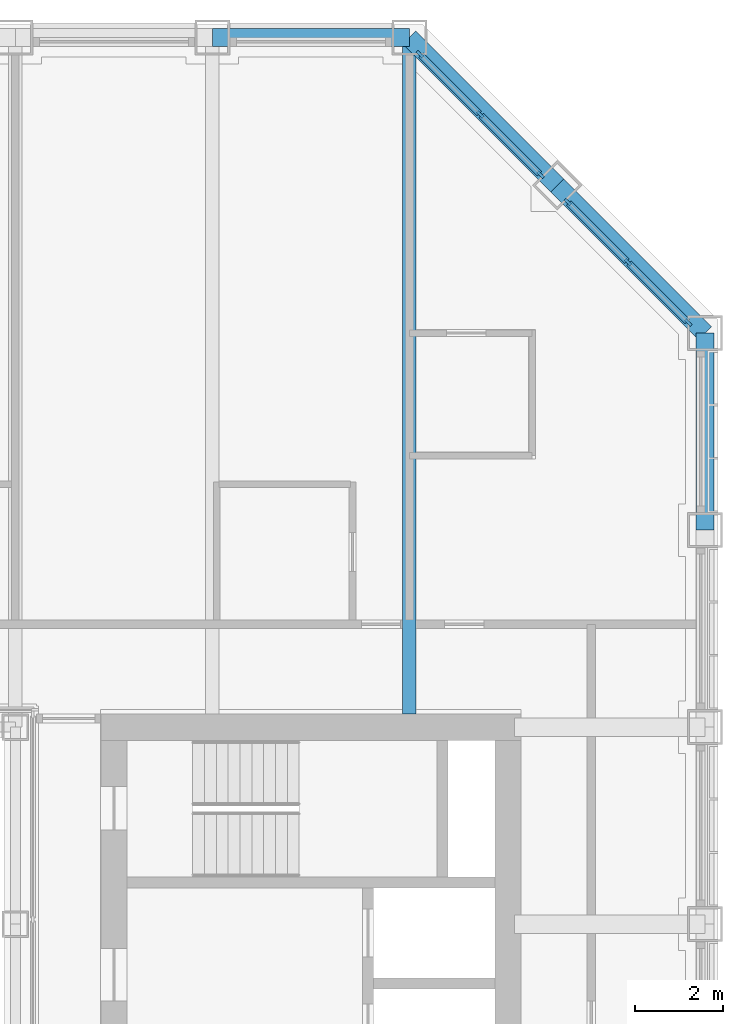
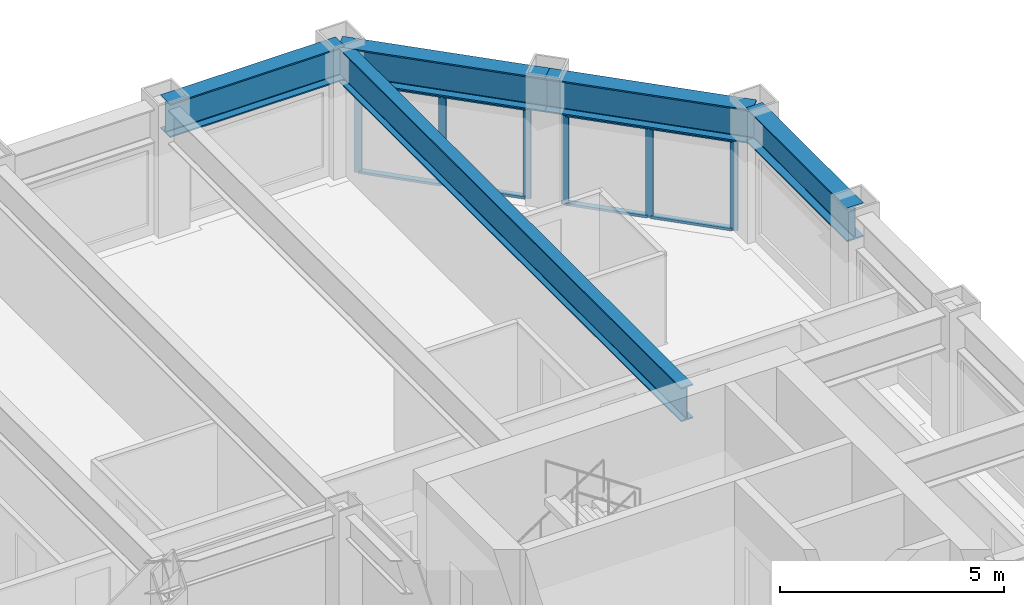
# One storey, part 8 of 17: 14 members, 5 beams, 2 elements without a shape of their own.
"""IFC4 building model written with IfcOpenShell, lengths in metres."""

from ifc_helpers import new_model, si_unit, direction, frame, origin, origin_2d, place, context, subcontext, project, spatial, rectangle, i_section, extrude, material, material_profile, profile_set, type_object, element, aggregate, save


model = new_model("IFC4")

# Units and contexts
model_context = context("Model", 3, precision=1e-05, world=origin(), true_north=direction((0.0, 1.0)))
body_context = subcontext(model_context, "Body", "Model", "MODEL_VIEW")
ifc_project = project(units=[si_unit("LENGTHUNIT", "METRE"), si_unit("AREAUNIT", "SQUARE_METRE"), si_unit("VOLUMEUNIT", "CUBIC_METRE"), si_unit("PLANEANGLEUNIT", "RADIAN"), si_unit("MASSUNIT", "GRAM", prefix="KILO")], contexts=[model_context])

# Site, building, storey
site_placement = place(None, origin())
site = spatial("IfcSite", under=ifc_project, at=site_placement, CompositionType="ELEMENT")
building_placement = place(site_placement, origin())
building = spatial("IfcBuilding", under=site, at=building_placement, Name="Msasa Ring Tower", CompositionType="ELEMENT")
storey_placement = place(building_placement, frame((0.0, 0.0, 143.60009765625)))
storey = spatial("IfcBuildingStorey", under=building, at=storey_placement, Name="L37", CompositionType="ELEMENT", Elevation=143.60009765625)

# Curtain wall, members
ifc_material_1 = material(Name="Aluminium curtain wall with clear glass", Category="aluminium")
curtain_wall_type = type_object("IfcCurtainWallType", Name="CW-C CHAMFER CORNER CURTAIN WALL", PredefinedType="NOTDEFINED", material=ifc_material_1)
curtain_wall_1_placement = place(storey_placement, origin())
curtain_wall_1 = element("IfcCurtainWall", 1, at=curtain_wall_1_placement, inside=storey, type_object=curtain_wall_type, Name="Chamfer corner curtain wall NE L37", PredefinedType="NOTDEFINED")
ifc_material_2 = material(Name="Aluminium mullion", Category="aluminium")
ifc_material_profile_1 = material_profile(ifc_material_2, rectangle(XDim=0.06494140625, YDim=0.179931640625, at=origin_2d()), Name="AL 65x180")
ifc_profile_set_1 = profile_set([ifc_material_profile_1], Name="Aluminium mullion")
member_type_1 = type_object("IfcMemberType", Name="CW-C MULLION 65x180", PredefinedType="MULLION", material=ifc_profile_set_1)
member_1_placement = place(storey_placement, frame((18.744873046875, 19.36376953125, 0.0), z_axis=(0.0, 0.0, 1.0), x_axis=(-0.707106781187, -0.707106781187, 0.0)))
member_1 = element("IfcMember", 2, at=member_1_placement, type_object=member_type_1, Name="CW-C mullion 1", PredefinedType="MULLION", context=body_context, shape_type="SweptSolid", body=[
    extrude(rectangle(XDim=0.06494140625, YDim=0.179931640625, at=origin_2d()), origin(), (0.0, 0.0, 1.0), 2.47900390625),
])
member_2_placement = place(storey_placement, frame((17.36669921875, 20.74169921875, 0.0), z_axis=(0.0, 0.0, 1.0), x_axis=(-0.707106781187, -0.707106781187, 0.0)))
member_2 = element("IfcMember", 3, at=member_2_placement, type_object=member_type_1, Name="CW-C mullion 2", PredefinedType="MULLION", context=body_context, shape_type="SweptSolid", body=[
    extrude(rectangle(XDim=0.06494140625, YDim=0.179931640625, at=origin_2d()), origin(), (0.0, 0.0, 1.0), 2.47900390625),
])
member_3_placement = place(storey_placement, frame((15.98876953125, 22.119873046875, 0.0), z_axis=(0.0, 0.0, 1.0), x_axis=(-0.707106781187, -0.707106781187, 0.0)))
member_3 = element("IfcMember", 4, at=member_3_placement, type_object=member_type_1, Name="CW-C mullion 3", PredefinedType="MULLION", context=body_context, shape_type="SweptSolid", body=[
    extrude(rectangle(XDim=0.06494140625, YDim=0.179931640625, at=origin_2d()), origin(), (0.0, 0.0, 1.0), 2.47900390625),
])

curtain_wall_2_placement = place(storey_placement, origin())
curtain_wall_2 = element("IfcCurtainWall", 5, at=curtain_wall_2_placement, inside=storey, type_object=curtain_wall_type, Name="Chamfer corner curtain wall NE L37", PredefinedType="NOTDEFINED")
member_4_placement = place(storey_placement, frame((22.119873046875, 15.98876953125, 0.0), z_axis=(0.0, 0.0, 1.0), x_axis=(-0.707106781187, -0.707106781187, 0.0)))
member_4 = element("IfcMember", 6, at=member_4_placement, type_object=member_type_1, Name="CW-C mullion 1", PredefinedType="MULLION", context=body_context, shape_type="SweptSolid", body=[
    extrude(rectangle(XDim=0.06494140625, YDim=0.179931640625, at=origin_2d()), origin(), (0.0, 0.0, 1.0), 2.47900390625),
])
member_5_placement = place(storey_placement, frame((20.74169921875, 17.36669921875, 0.0), z_axis=(0.0, 0.0, 1.0), x_axis=(-0.707106781187, -0.707106781187, 0.0)))
member_5 = element("IfcMember", 7, at=member_5_placement, type_object=member_type_1, Name="CW-C mullion 2", PredefinedType="MULLION", context=body_context, shape_type="SweptSolid", body=[
    extrude(rectangle(XDim=0.06494140625, YDim=0.179931640625, at=origin_2d()), origin(), (0.0, 0.0, 1.0), 2.47900390625),
])
member_6_placement = place(storey_placement, frame((19.36376953125, 18.744873046875, 0.0), z_axis=(0.0, 0.0, 1.0), x_axis=(-0.707106781187, -0.707106781187, 0.0)))
member_6 = element("IfcMember", 8, at=member_6_placement, type_object=member_type_1, Name="CW-C mullion 3", PredefinedType="MULLION", context=body_context, shape_type="SweptSolid", body=[
    extrude(rectangle(XDim=0.06494140625, YDim=0.179931640625, at=origin_2d()), origin(), (0.0, 0.0, 1.0), 2.47900390625),
])

# Member
ifc_material_3 = material(Name="Aluminium transom", Category="aluminium")
ifc_material_profile_2 = material_profile(ifc_material_3, rectangle(XDim=0.139892578125, YDim=0.06494140625, at=origin_2d()), Name="AL 65x140")
ifc_profile_set_2 = profile_set([ifc_material_profile_2], Name="Aluminium transom")
member_type_2 = type_object("IfcMemberType", Name="CW-C TRANSOM 65x140", PredefinedType="USERDEFINED", material=ifc_profile_set_2)
member_7_placement = place(storey_placement, frame((18.721923828125, 19.38671875, 0.032470703125), z_axis=(-0.707106781187, 0.707106781187, 0.0), x_axis=(-0.707106781187, -0.707106781187, 0.0)))
member_7 = element("IfcMember", 9, at=member_7_placement, type_object=member_type_2, Name="CW-C transom 1.1", ObjectType="TRANSOM", PredefinedType="USERDEFINED", context=body_context, shape_type="SweptSolid", body=[
    extrude(rectangle(XDim=0.139892578125, YDim=0.06494140625, at=origin_2d()), origin(), (0.0, 0.0, 1.0), 1.8837890625),
])

member_8_placement = place(storey_placement, frame((18.721923828125, 19.38671875, 2.4462890625), z_axis=(-0.707106781187, 0.707106781187, 0.0), x_axis=(-0.707106781187, -0.707106781187, 0.0)))
member_8 = element("IfcMember", 10, at=member_8_placement, type_object=member_type_2, Name="CW-C transom 1.2", ObjectType="TRANSOM", PredefinedType="USERDEFINED", context=body_context, shape_type="SweptSolid", body=[
    extrude(rectangle(XDim=0.139892578125, YDim=0.06494140625, at=origin_2d()), origin(), (0.0, 0.0, 1.0), 1.8837890625),
])

member_9_placement = place(storey_placement, frame((17.34375, 20.764892578125, 0.032470703125), z_axis=(-0.707106781187, 0.707106781187, 0.0), x_axis=(-0.707106781187, -0.707106781187, 0.0)))
member_9 = element("IfcMember", 11, at=member_9_placement, type_object=member_type_2, Name="CW-C transom 2.1", ObjectType="TRANSOM", PredefinedType="USERDEFINED", context=body_context, shape_type="SweptSolid", body=[
    extrude(rectangle(XDim=0.139892578125, YDim=0.06494140625, at=origin_2d()), origin(), (0.0, 0.0, 1.0), 1.8837890625),
])

member_10_placement = place(storey_placement, frame((17.34375, 20.764892578125, 2.4462890625), z_axis=(-0.707106781187, 0.707106781187, 0.0), x_axis=(-0.707106781187, -0.707106781187, 0.0)))
member_10 = element("IfcMember", 12, at=member_10_placement, type_object=member_type_2, Name="CW-C transom 2.2", ObjectType="TRANSOM", PredefinedType="USERDEFINED", context=body_context, shape_type="SweptSolid", body=[
    extrude(rectangle(XDim=0.139892578125, YDim=0.06494140625, at=origin_2d()), origin(), (0.0, 0.0, 1.0), 1.8837890625),
])

aggregate(curtain_wall_1, [member_1, member_2, member_3, member_7, member_8, member_9, member_10])

member_11_placement = place(storey_placement, frame((22.096923828125, 16.01171875, 0.032470703125), z_axis=(-0.707106781187, 0.707106781187, 0.0), x_axis=(-0.707106781187, -0.707106781187, 0.0)))
member_11 = element("IfcMember", 13, at=member_11_placement, type_object=member_type_2, Name="CW-C transom 1.1", ObjectType="TRANSOM", PredefinedType="USERDEFINED", context=body_context, shape_type="SweptSolid", body=[
    extrude(rectangle(XDim=0.139892578125, YDim=0.06494140625, at=origin_2d()), origin(), (0.0, 0.0, 1.0), 1.8837890625),
])

member_12_placement = place(storey_placement, frame((22.096923828125, 16.01171875, 2.4462890625), z_axis=(-0.707106781187, 0.707106781187, 0.0), x_axis=(-0.707106781187, -0.707106781187, 0.0)))
member_12 = element("IfcMember", 14, at=member_12_placement, type_object=member_type_2, Name="CW-C transom 1.2", ObjectType="TRANSOM", PredefinedType="USERDEFINED", context=body_context, shape_type="SweptSolid", body=[
    extrude(rectangle(XDim=0.139892578125, YDim=0.06494140625, at=origin_2d()), origin(), (0.0, 0.0, 1.0), 1.8837890625),
])

member_13_placement = place(storey_placement, frame((20.71875, 17.389892578125, 0.032470703125), z_axis=(-0.707106781187, 0.707106781187, 0.0), x_axis=(-0.707106781187, -0.707106781187, 0.0)))
member_13 = element("IfcMember", 15, at=member_13_placement, type_object=member_type_2, Name="CW-C transom 2.1", ObjectType="TRANSOM", PredefinedType="USERDEFINED", context=body_context, shape_type="SweptSolid", body=[
    extrude(rectangle(XDim=0.139892578125, YDim=0.06494140625, at=origin_2d()), origin(), (0.0, 0.0, 1.0), 1.8837890625),
])

member_14_placement = place(storey_placement, frame((20.71875, 17.389892578125, 2.4462890625), z_axis=(-0.707106781187, 0.707106781187, 0.0), x_axis=(-0.707106781187, -0.707106781187, 0.0)))
member_14 = element("IfcMember", 16, at=member_14_placement, type_object=member_type_2, Name="CW-C transom 2.2", ObjectType="TRANSOM", PredefinedType="USERDEFINED", context=body_context, shape_type="SweptSolid", body=[
    extrude(rectangle(XDim=0.139892578125, YDim=0.06494140625, at=origin_2d()), origin(), (0.0, 0.0, 1.0), 1.8837890625),
])

aggregate(curtain_wall_2, [member_4, member_5, member_6, member_11, member_12, member_13, member_14])

# Beams
ifc_material_4 = material(Name="Steel S355", Category="steel")
ifc_material_profile_3 = material_profile(ifc_material_4, i_section(OverallWidth=0.3076171875, OverallDepth=0.926513671875, WebThickness=0.01953125, FlangeThickness=0.031982421875, FilletRadius=0.01904296875, at=origin_2d()), Name="UB 914x305x289")
ifc_profile_set_3 = profile_set([ifc_material_profile_3], Name="Steel S355")
beam_type_1 = type_object("IfcBeamType", Name="FB3 UB 914x305x289", PredefinedType="BEAM", material=ifc_profile_set_3)
beam_1_placement = place(storey_placement, frame((15.75, 22.5, 2.9365234375), z_axis=(0.0, -1.0, 0.0), x_axis=(1.0, 0.0, 0.0)))
element("IfcBeam", 17, at=beam_1_placement, inside=storey, type_object=beam_type_1, Name="Floor beam N+15.75 under L38", PredefinedType="BEAM", context=body_context, shape_type="SweptSolid", body=[
    extrude(i_section(OverallWidth=0.3076171875, OverallDepth=0.926513671875, WebThickness=0.01953125, FlangeThickness=0.031982421875, FilletRadius=0.01904296875, at=origin_2d()), origin(), (0.0, 0.0, 1.0), 15.449951171875),
])
ifc_material_5 = material(Name="Steel S355", Category="steel")
ifc_material_profile_4 = material_profile(ifc_material_5, i_section(OverallWidth=0.42041015625, OverallDepth=0.9208984375, WebThickness=0.021484375, FlangeThickness=0.03662109375, FilletRadius=0.024169921875, at=origin_2d()), Name="UB 914x419x388")
ifc_profile_set_4 = profile_set([ifc_material_profile_4], Name="Steel S355")
beam_type_2 = type_object("IfcBeamType", Name="SB1 UB 914x419x388", PredefinedType="SPANDREL", material=ifc_profile_set_4)
beam_2_placement = place(storey_placement, frame((22.5, 11.25, 2.939453125), z_axis=(0.0, 1.0, 0.0), x_axis=(-1.0, 0.0, 0.0)))
element("IfcBeam", 18, at=beam_2_placement, inside=storey, type_object=beam_type_2, Name="Spandrel E+11.25 to E+15.75 under L38", PredefinedType="SPANDREL", context=body_context, shape_type="SweptSolid", body=[
    extrude(i_section(OverallWidth=0.42041015625, OverallDepth=0.9208984375, WebThickness=0.021484375, FlangeThickness=0.03662109375, FilletRadius=0.024169921875, at=origin_2d()), origin(), (0.0, 0.0, 1.0), 4.5),
])
for number, where, z_axis, x_axis, name in (
    (19, (22.5, 15.75, 2.939453125), (-0.707106781187, 0.707106781187, 0.0), (-0.707106781187, -0.707106781187, 0.0), "Spandrel E+15.75 to NE under L38"),
    (20, (19.125, 19.125, 2.939453125), (-0.707106781187, 0.707106781187, 0.0), (-0.707106781187, -0.707106781187, 0.0), "Spandrel NE to N+15.75 under L38"),
):
    element("IfcBeam", number, at=place(storey_placement, frame(where, z_axis=z_axis, x_axis=x_axis)), inside=storey, type_object=beam_type_2, Name=name, PredefinedType="SPANDREL", context=body_context, shape_type="SweptSolid", body=[
        extrude(i_section(OverallWidth=0.42041015625, OverallDepth=0.9208984375, WebThickness=0.021484375, FlangeThickness=0.03662109375, FilletRadius=0.024169921875, at=origin_2d()), origin(), (0.0, 0.0, 1.0), 4.77294921875),
    ])
beam_3_placement = place(storey_placement, frame((15.75, 22.5, 2.939453125), z_axis=(-1.0, 0.0, 0.0), x_axis=(0.0, -1.0, 0.0)))
element("IfcBeam", 21, at=beam_3_placement, inside=storey, type_object=beam_type_2, Name="Spandrel N+15.75 to N+11.25 under L38", PredefinedType="SPANDREL", context=body_context, shape_type="SweptSolid", body=[
    extrude(i_section(OverallWidth=0.42041015625, OverallDepth=0.9208984375, WebThickness=0.021484375, FlangeThickness=0.03662109375, FilletRadius=0.024169921875, at=origin_2d()), origin(), (0.0, 0.0, 1.0), 4.5),
])

save(model, "model.ifc")
